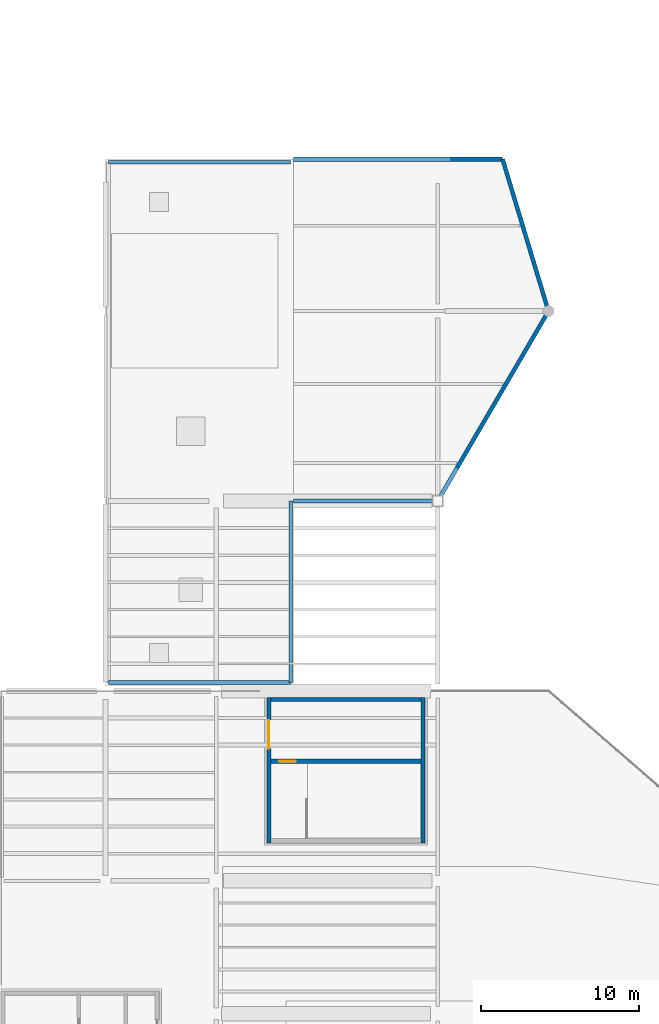
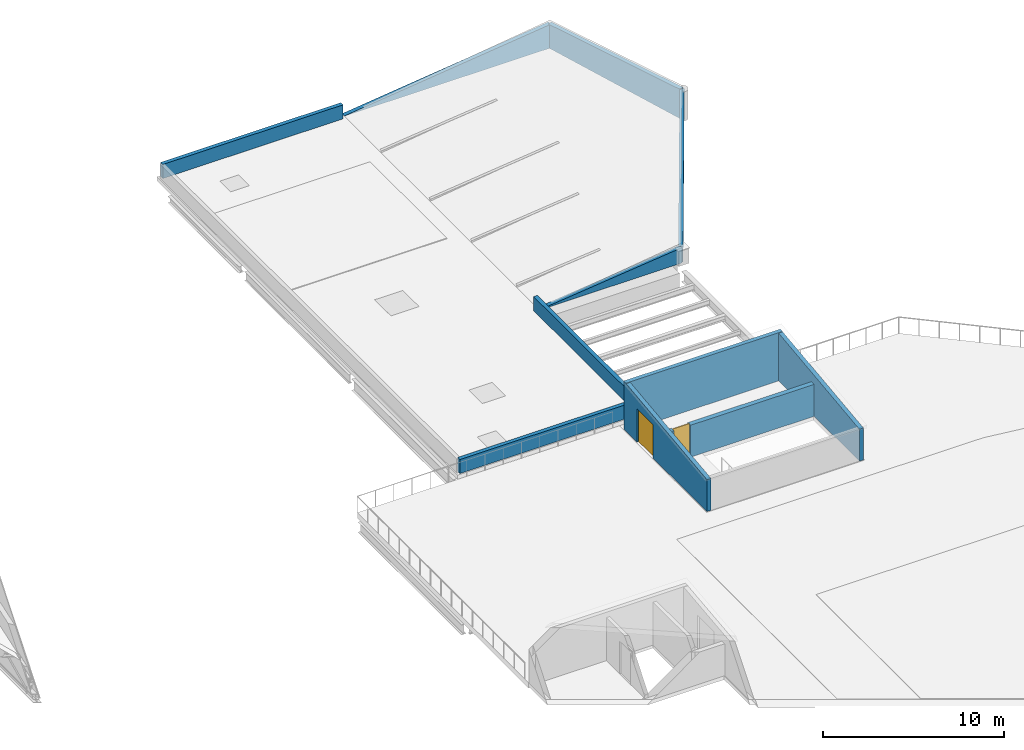
# One storey, part 74 of 77: 11 walls, 2 doors, 2 openings.
"""IFC4 building model written with IfcOpenShell, lengths in metres."""

from ifc_helpers import new_model, si_unit, direction, frame, frame_2d, origin, place, context, subcontext, project, spatial, polyline, rectangle, outline, extrude, material, layer, layer_set, type_object, element, fill, save


model = new_model("IFC4")

# Units and contexts
model_context = context("Model", 3, precision=1e-05, world=origin(), true_north=direction((0.0, 1.0)))
body_context = subcontext(model_context, "Body", "Model", "MODEL_VIEW")
ifc_project = project(units=[si_unit("LENGTHUNIT", "METRE"), si_unit("AREAUNIT", "SQUARE_METRE"), si_unit("VOLUMEUNIT", "CUBIC_METRE"), si_unit("PLANEANGLEUNIT", "RADIAN"), si_unit("MASSUNIT", "GRAM", prefix="KILO")], contexts=[model_context])

# Site, building, storey
site_placement = place(None, origin())
site = spatial("IfcSite", under=ifc_project, at=site_placement, CompositionType="ELEMENT")
building_placement = place(site_placement, origin())
building = spatial("IfcBuilding", under=site, at=building_placement, Name="Larkvane Passage Sports Hall", CompositionType="ELEMENT")
storey_placement = place(building_placement, frame((0.0, 0.0, 22.199951171875)))
storey = spatial("IfcBuildingStorey", under=building, at=storey_placement, Name="RF", CompositionType="ELEMENT", Elevation=22.199951171875)

# Wall, opening, door
ifc_material_1 = material(Name="Concrete C50/60", Category="concrete")
ifc_layer_1 = layer(ifc_material_1, 0.300048828125)
ifc_layer_set_1 = layer_set([ifc_layer_1], Name="Concrete C50/60")
wall_type_1 = type_object("IfcWallType", Name="WL-CORE-300", PredefinedType="SHEAR", material=ifc_layer_set_1)
wall_1_placement = place(storey_placement, frame((134.929931640625, 47.14990234375, 0.0), z_axis=(0.0, 0.0, 1.0), x_axis=(1.0, 0.0, 0.0)))
wall_1 = element("IfcWall", 1, at=wall_1_placement, inside=storey, type_object=wall_type_1, Name="Core stair division wall C7 RF", PredefinedType="SHEAR", context=body_context, shape_type="SweptSolid", body=[
    extrude(rectangle(XDim=9.739990234375, YDim=0.300048828125, at=frame_2d((4.8701171875, 0.0))), origin(), (0.0, 0.0, 1.0), 2.16015625),
])
opening_1_placement = place(wall_1_placement, frame((0.64990234375, 0.0, 0.0)))
opening_1 = element("IfcOpeningElement", 2, at=opening_1_placement, cuts=wall_1, Name="Opening DF-01", PredefinedType="OPENING", context=body_context, shape_type="SweptSolid", body=[
    extrude(rectangle(XDim=1.050048828125, YDim=2.199951171875, at=frame_2d((0.52490234375, 1.10009765625))), frame((0.0, 0.159912109375, 0.0), z_axis=(0.0, -1.0, 0.0), x_axis=(1.0, 0.0, 0.0)), (0.0, 0.0, 1.0), 0.320068359375),
])
ifc_material_2 = material(Name="Steel S355JR smoke-sealed fire door", Category="steel")
door_type_1 = type_object("IfcDoorType", Name="DR-FIRE-1050", OperationType="NOTDEFINED", PredefinedType="DOOR", material=ifc_material_2)
door_1_placement = place(opening_1_placement, origin())
door_1 = element("IfcDoor", 3, at=door_1_placement, inside=storey, type_object=door_type_1, Name="Stair ST-07 RF lobby door", OperationType="SINGLE_SWING_LEFT", OverallHeight=2.199951171875, OverallWidth=1.050048828125, PredefinedType="DOOR", context=body_context, shape_type="SweptSolid", body=[
    extrude(rectangle(XDim=1.050048828125, YDim=2.199951171875, at=frame_2d((0.52490234375, 1.10009765625))), frame((0.0, 0.02490234375, 0.0), z_axis=(0.0, -1.0, 0.0), x_axis=(1.0, 0.0, 0.0)), (0.0, 0.0, 1.0), 0.050048828125),
])
fill(opening_1, door_1)

# Walls
ifc_material_3 = material(Name="Precast concrete C45/55", Category="concrete")
ifc_layer_2 = layer(ifc_material_3, 0.260009765625)
ifc_layer_set_2 = layer_set([ifc_layer_2], Name="Precast concrete C45/55")
wall_type_2 = type_object("IfcWallType", Name="WL-GABLE-260", PredefinedType="SOLIDWALL", material=ifc_layer_set_2)
wall_2_placement = place(storey_placement, frame((136.5, 63.60009765625, 0.0), z_axis=(0.0, 0.0, 1.0), x_axis=(1.0, 0.0, 0.0)))
element("IfcWall", 4, at=wall_2_placement, inside=storey, type_object=wall_type_2, Name="Studio wing sloped roof gable WAL-GABLE-V4-S", PredefinedType="SOLIDWALL", context=body_context, shape_type="SweptSolid", body=[
    extrude(outline(polyline([(0.0, 0.0), (9.10009765625, 0.0), (9.10009765625, 1.0400390625), (0.0, 0.02001953125), (0.0, 0.0)])), frame((0.0, 0.1298828125, 0.0), z_axis=(0.0, -1.0, 0.0), x_axis=(1.0, 0.0, 0.0)), (0.0, 0.0, 1.0), 0.260009765625),
])
wall_3_placement = place(storey_placement, frame((145.60009765625, 63.60009765625, 0.0), z_axis=(0.0, 0.0, 1.0), x_axis=(0.503871025524, 0.863778900898, 0.0)))
element("IfcWall", 5, at=wall_3_placement, inside=storey, type_object=wall_type_2, Name="Studio wing sloped roof gable WAL-GABLE-V4-SE", PredefinedType="SOLIDWALL", context=body_context, shape_type="SweptSolid", body=[
    extrude(outline(polyline([(0.0, 0.0), (13.892333984375, 0.0), (13.889892578125, 1.97998046875), (0.0, 1.0400390625), (0.0, 0.0)])), frame((0.0, 0.1298828125, 0.0), z_axis=(0.0, -1.0, 0.0), x_axis=(1.0, 0.0, 0.0)), (0.0, 0.0, 1.0), 0.260009765625),
])
wall_4_placement = place(storey_placement, frame((152.60009765625, 75.60009765625, 0.0), z_axis=(0.0, 0.0, 1.0), x_axis=(-0.289194445606, 0.957270375929, 0.0)))
element("IfcWall", 6, at=wall_4_placement, inside=storey, type_object=wall_type_2, Name="Studio wing sloped roof gable WAL-GABLE-V4-NE", PredefinedType="SOLIDWALL", context=body_context, shape_type="SweptSolid", body=[
    extrude(outline(polyline([(0.0, 0.0), (10.0283203125, 0.0), (10.030029296875, 1.60009765625), (0.0, 1.97998046875), (0.0, 0.0)])), frame((0.0, 0.1298828125, 0.0), z_axis=(0.0, -1.0, 0.0), x_axis=(1.0, 0.0, 0.0)), (0.0, 0.0, 1.0), 0.260009765625),
])
wall_5_placement = place(storey_placement, frame((149.699951171875, 85.199951171875, 0.0), z_axis=(0.0, 0.0, 1.0), x_axis=(-1.0, 0.0, 0.0)))
element("IfcWall", 7, at=wall_5_placement, inside=storey, type_object=wall_type_2, Name="Studio wing sloped roof gable WAL-GABLE-V4-N", PredefinedType="SOLIDWALL", context=body_context, shape_type="SweptSolid", body=[
    extrude(outline(polyline([(0.0, 0.0), (13.199951171875, 0.0), (13.199951171875, 0.02001953125), (0.0, 1.60009765625), (0.0, 0.0)])), frame((0.0, 0.1298828125, 0.0), z_axis=(0.0, -1.0, 0.0), x_axis=(1.0, 0.0, 0.0)), (0.0, 0.0, 1.0), 0.260009765625),
])
ifc_layer_3 = layer(ifc_material_3, 0.260009765625)
ifc_layer_set_3 = layer_set([ifc_layer_3], Name="Precast concrete C45/55")
wall_type_3 = type_object("IfcWallType", Name="WL-HH-260", PredefinedType="SOLIDWALL", material=ifc_layer_set_3)
wall_6_placement = place(storey_placement, frame((144.669921875, 42.0, 0.0), z_axis=(0.0, 0.0, 1.0), x_axis=(0.0, 1.0, 0.0)))
element("IfcWall", 8, at=wall_6_placement, inside=storey, type_object=wall_type_3, Name="Roof stair head-house wall WAL-HH-C7-E", PredefinedType="SOLIDWALL", context=body_context, shape_type="SweptSolid", body=[
    extrude(outline(polyline([(0.0, 0.0), (9.199951171875, 0.0), (9.199951171875, 3.260009765625), (0.0, 2.16015625), (0.0, 0.0)])), frame((0.0, 0.1298828125, 0.0), z_axis=(0.0, -1.0, 0.0), x_axis=(1.0, 0.0, 0.0)), (0.0, 0.0, 1.0), 0.260009765625),
])
wall_7_placement = place(storey_placement, frame((144.800048828125, 51.070068359375, 0.0), z_axis=(0.0, 0.0, 1.0), x_axis=(-1.0, 0.0, 0.0)))
element("IfcWall", 9, at=wall_7_placement, inside=storey, type_object=wall_type_3, Name="Roof stair head-house wall WAL-HH-C7-N", PredefinedType="SOLIDWALL", context=body_context, shape_type="SweptSolid", body=[
    extrude(rectangle(XDim=10.0, YDim=0.260009765625, at=frame_2d((5.0, 0.0))), origin(), (0.0, 0.0, 1.0), 3.260009765625),
])

# Wall, opening, door
wall_8_placement = place(storey_placement, frame((134.929931640625, 51.199951171875, 0.0), z_axis=(0.0, 0.0, 1.0), x_axis=(0.0, -1.0, 0.0)))
wall_8 = element("IfcWall", 10, at=wall_8_placement, inside=storey, type_object=wall_type_3, Name="Roof stair head-house wall WAL-HH-C7-W", PredefinedType="SOLIDWALL", context=body_context, shape_type="SweptSolid", body=[
    extrude(outline(polyline([(0.0, 0.0), (9.199951171875, 0.0), (9.199951171875, 2.16015625), (0.0, 3.260009765625), (0.0, 0.0)])), frame((0.0, 0.1298828125, 0.0), z_axis=(0.0, -1.0, 0.0), x_axis=(1.0, 0.0, 0.0)), (0.0, 0.0, 1.0), 0.260009765625),
])
opening_2_placement = place(wall_8_placement, frame((1.449951171875, 0.0, 0.0)))
opening_2 = element("IfcOpeningElement", 11, at=opening_2_placement, cuts=wall_8, Name="Opening DE-03", PredefinedType="OPENING", context=body_context, shape_type="SweptSolid", body=[
    extrude(rectangle(XDim=1.800048828125, YDim=2.25, at=frame_2d((0.89990234375, 1.125))), frame((0.0, 0.139892578125, 0.0), z_axis=(0.0, -1.0, 0.0), x_axis=(1.0, 0.0, 0.0)), (0.0, 0.0, 1.0), 0.280029296875),
])
ifc_material_4 = material(Name="Galvanised steel S355JR fire exit leaf", Category="steel")
door_type_2 = type_object("IfcDoorType", Name="DR-EXIT-1800", OperationType="DOUBLE_DOOR_SINGLE_SWING", PredefinedType="DOOR", material=ifc_material_4)
door_2_placement = place(opening_2_placement, origin())
door_2 = element("IfcDoor", 12, at=door_2_placement, inside=storey, type_object=door_type_2, Name="Rooftop running track exit door C7", OperationType="DOUBLE_DOOR_SINGLE_SWING", OverallHeight=2.25, OverallWidth=1.800048828125, PredefinedType="DOOR", context=body_context, shape_type="SweptSolid", body=[
    extrude(rectangle(XDim=1.800048828125, YDim=2.25, at=frame_2d((0.89990234375, 1.125))), frame((0.0, 0.02490234375, 0.0), z_axis=(0.0, -1.0, 0.0), x_axis=(1.0, 0.0, 0.0)), (0.0, 0.0, 1.0), 0.050048828125),
])
fill(opening_2, door_2)

# Walls
ifc_layer_4 = layer(ifc_material_3, 0.2451171875)
ifc_layer_set_4 = layer_set([ifc_layer_4], Name="Precast concrete C45/55")
wall_type_4 = type_object("IfcWallType", Name="WL-PAR-245", PredefinedType="PARAPET", material=ifc_layer_set_4)
for number, where, z_axis, x_axis, name in (
    (13, (124.7900390625, 52.139892578125, 0.0), (0.0, 0.0, 1.0), (1.0, 0.0, 0.0), "Roof parapet PAR-RF-V4-S"),
    (14, (124.7900390625, 85.010009765625, 0.0), (0.0, 0.0, 1.0), (1.0, 0.0, 0.0), "Roof parapet PAR-RF-V4-N"),
):
    element("IfcWall", number, at=place(storey_placement, frame(where, z_axis=z_axis, x_axis=x_axis)), inside=storey, type_object=wall_type_4, Name=name, PredefinedType="PARAPET", context=body_context, shape_type="SweptSolid", body=[
        extrude(rectangle(XDim=11.52001953125, YDim=0.2451171875, at=frame_2d((5.760009765625, 0.0))), origin(), (0.0, 0.0, 1.0), 0.949951171875),
    ])
wall_9_placement = place(storey_placement, frame((136.31005859375, 52.139892578125, 0.0), z_axis=(0.0, 0.0, 1.0), x_axis=(0.0, 1.0, 0.0)))
element("IfcWall", 15, at=wall_9_placement, inside=storey, type_object=wall_type_4, Name="Roof parapet PAR-RF-V4-E", PredefinedType="PARAPET", context=body_context, shape_type="SweptSolid", body=[
    extrude(rectangle(XDim=11.460205078125, YDim=0.2451171875, at=frame_2d((5.72998046875, 0.0))), origin(), (0.0, 0.0, 1.0), 0.949951171875),
])

save(model, "model.ifc")
